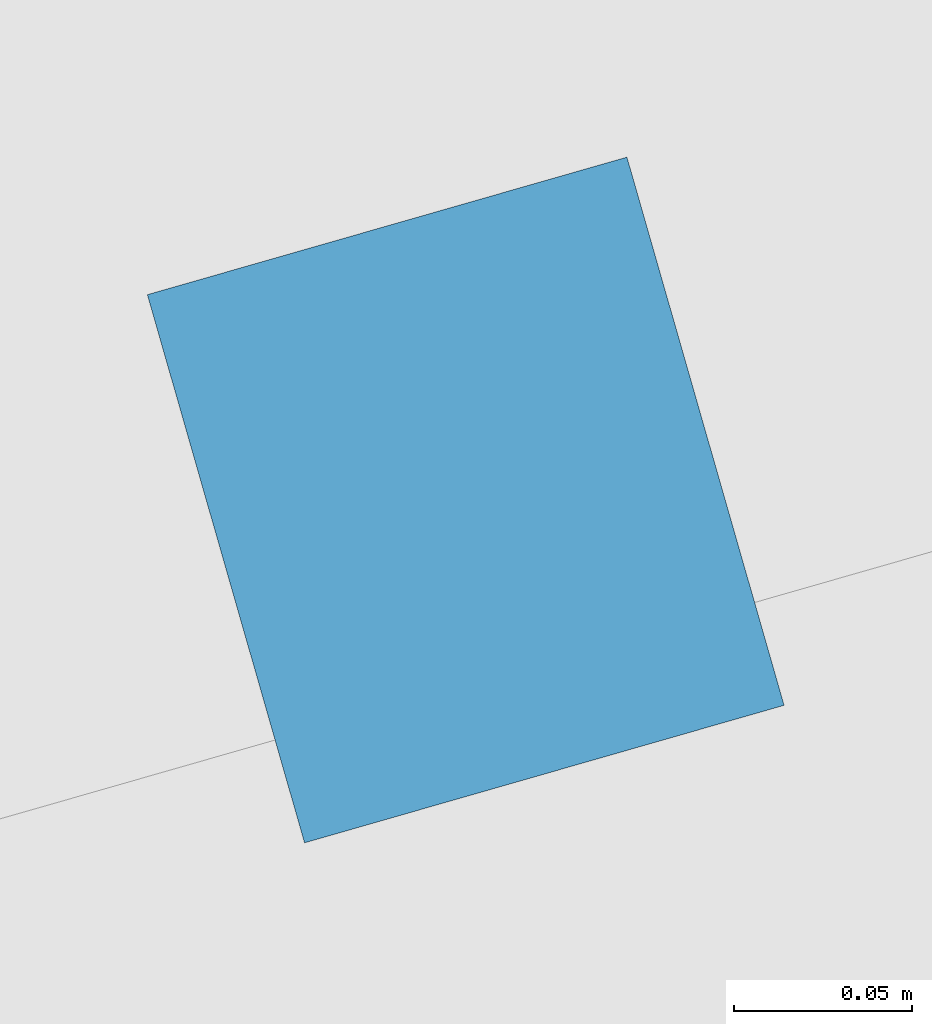
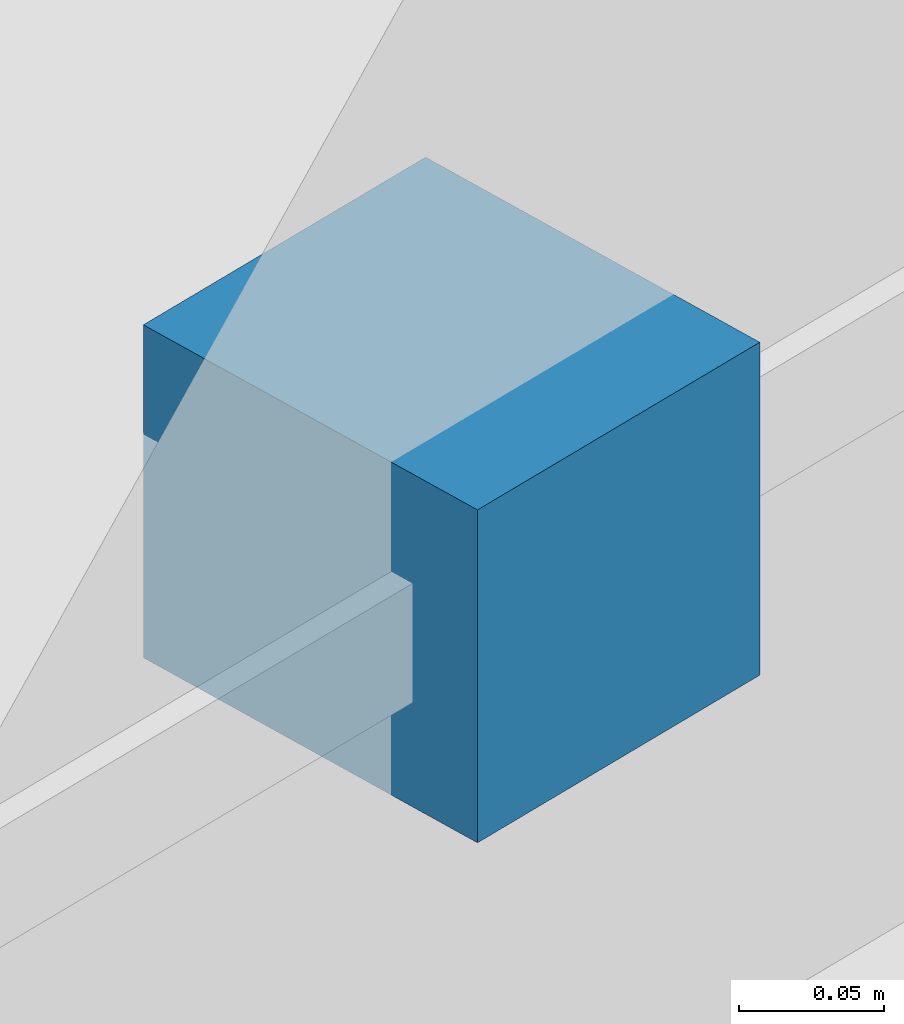
# One storey, part 86 of 103: 1 discrete accessory.
"""IFC4 building model written with IfcOpenShell, lengths in metres."""

from ifc_helpers import new_model, si_unit, direction, frame, origin, origin_2d, place, context, subcontext, project, spatial, rectangle, extrude, material, type_object, element, save


model = new_model("IFC4")

# Units and contexts
model_context = context("Model", 3, precision=1e-05, world=origin(), true_north=direction((0.0, 1.0)))
body_context = subcontext(model_context, "Body", "Model", "MODEL_VIEW")
ifc_project = project(units=[si_unit("LENGTHUNIT", "METRE"), si_unit("AREAUNIT", "SQUARE_METRE"), si_unit("VOLUMEUNIT", "CUBIC_METRE"), si_unit("PLANEANGLEUNIT", "RADIAN"), si_unit("MASSUNIT", "GRAM", prefix="KILO")], contexts=[model_context])

# Site, building, storey
site_placement = place(None, origin())
site = spatial("IfcSite", under=ifc_project, at=site_placement, CompositionType="ELEMENT")
building_placement = place(site_placement, origin())
building = spatial("IfcBuilding", under=site, at=building_placement, Name="Varnklinge Art Gallery", CompositionType="ELEMENT")
storey_placement = place(building_placement, frame((0.0, 0.0, 5.10009765625)))
storey = spatial("IfcBuildingStorey", under=building, at=storey_placement, Name="L01", CompositionType="ELEMENT", Elevation=5.10009765625)

# Discrete accessory
ifc_material = material(Name="Steel S355", Category="steel")
discrete_accessory_type = type_object("IfcDiscreteAccessoryType", Name="BRK-01", PredefinedType="BRACKET", material=ifc_material)
discrete_accessory_placement = place(storey_placement, frame((122.906982421875, 36.970947265625, 2.43017578125), z_axis=(0.0, 0.0, 1.0), x_axis=(0.961261695938, 0.275637355817, 0.0)))
element("IfcDiscreteAccessory", 1, at=discrete_accessory_placement, inside=storey, type_object=discrete_accessory_type, Name="L01 Fin Outrigger Bracket EW-V6-L01-02.1", PredefinedType="BRACKET", context=body_context, shape_type="SweptSolid", body=[
    extrude(rectangle(XDim=0.139892578125, YDim=0.159912109375, at=origin_2d()), origin(), (0.0, 0.0, 1.0), 0.139892578125),
])

save(model, "model.ifc")
